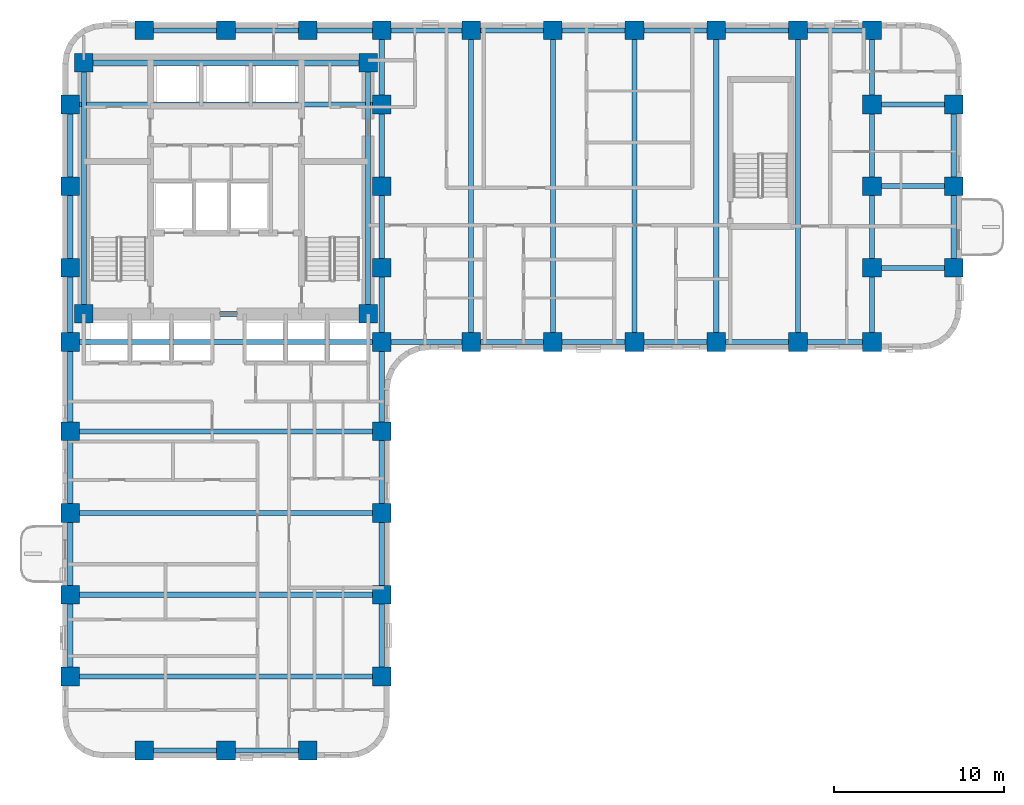
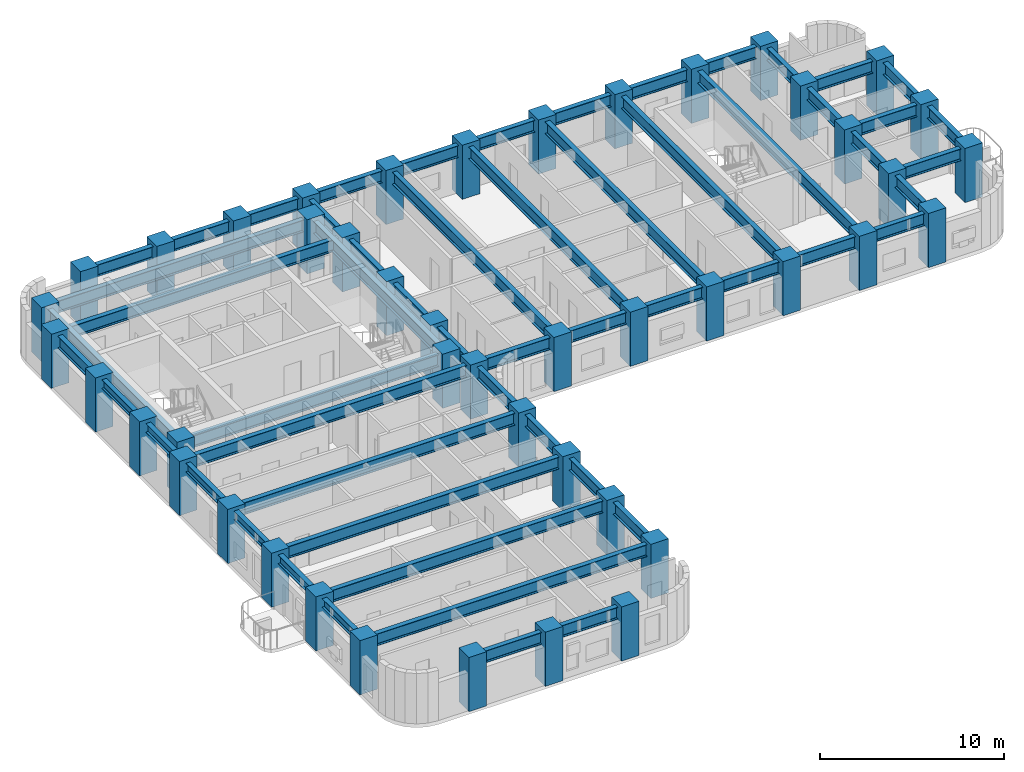
# One storey, part 1 of 11: 56 beams, 45 columns.
"""IFC4 building model written with IfcOpenShell, lengths in metres."""

from ifc_helpers import new_model, si_unit, direction, frame, origin, origin_2d, place, context, subcontext, project, spatial, rectangle, i_section, extrude, material, material_profile, profile_set, type_object, element, save


model = new_model("IFC4")

# Units and contexts
model_context = context("Model", 3, precision=1e-05, world=origin(), true_north=direction((0.0, 1.0)))
body_context = subcontext(model_context, "Body", "Model", "MODEL_VIEW")
ifc_project = project(units=[si_unit("LENGTHUNIT", "METRE"), si_unit("AREAUNIT", "SQUARE_METRE"), si_unit("VOLUMEUNIT", "CUBIC_METRE"), si_unit("PLANEANGLEUNIT", "RADIAN"), si_unit("MASSUNIT", "GRAM", prefix="KILO")], contexts=[model_context])

# Site, building, storey
site_placement = place(None, origin())
site = spatial("IfcSite", under=ifc_project, at=site_placement, CompositionType="ELEMENT")
building_placement = place(site_placement, origin())
building = spatial("IfcBuilding", under=site, at=building_placement, Name="Orvandelia Arch Residences", CompositionType="ELEMENT")
storey_placement = place(building_placement, frame((0.0, 0.0, 53.800048828125)))
storey = spatial("IfcBuildingStorey", under=building, at=storey_placement, Name="L13", CompositionType="ELEMENT", Elevation=53.800048828125)

# Columns
ifc_material_1 = material(Name="Concrete C80/95", Category="concrete")
ifc_material_profile_1 = material_profile(ifc_material_1, rectangle(XDim=1.10009765625, YDim=1.10009765625, at=origin_2d()), Name="Concrete C80/95", Category="concrete")
ifc_profile_set_1 = profile_set([ifc_material_profile_1], Name="Concrete C80/95")
column_type = type_object("IfcColumnType", Name="COL-TWR-1100", PredefinedType="COLUMN", material=ifc_profile_set_1)
for number, where, z_axis, x_axis, name in (
    (1, (5.25, 9.60009765625, 0.0), (0.0, 0.0, 1.0), (1.0, 0.0, 0.0), "Structural Column L13-W-W-96"),
    (2, (5.25, 14.39990234375, 0.0), (0.0, 0.0, 1.0), (1.0, 0.0, 0.0), "Structural Column L13-W-W-144"),
    (3, (5.25, 19.199951171875, 0.0), (0.0, 0.0, 1.0), (1.0, 0.0, 0.0), "Structural Column L13-W-W-192"),
    (4, (5.25, 24.0, 0.0), (0.0, 0.0, 1.0), (1.0, 0.0, 0.0), "Structural Column L13-W-W-240"),
    (5, (5.25, 29.25, 0.0), (0.0, 0.0, 1.0), (1.0, 0.0, 0.0), "Structural Column L13-W-W-292"),
    (6, (5.25, 33.60009765625, 0.0), (0.0, 0.0, 1.0), (1.0, 0.0, 0.0), "Structural Column L13-W-W-336"),
    (7, (5.25, 38.39990234375, 0.0), (0.0, 0.0, 1.0), (1.0, 0.0, 0.0), "Structural Column L13-W-W-384"),
    (8, (5.25, 43.199951171875, 0.0), (0.0, 0.0, 1.0), (1.0, 0.0, 0.0), "Structural Column L13-W-W-432"),
    (9, (6.050048828125, 30.89990234375, 0.0), (0.0, 0.0, 1.0), (1.0, 0.0, 0.0), "Structural Column L13-CR-SW"),
    (10, (6.050048828125, 45.64990234375, 0.0), (0.0, 0.0, 1.0), (1.0, 0.0, 0.0), "Structural Column L13-CR-NW"),
    (11, (9.60009765625, 5.25, 0.0), (0.0, 0.0, 1.0), (1.0, 0.0, 0.0), "Structural Column L13-W-S-96"),
    (12, (9.60009765625, 47.550048828125, 0.0), (0.0, 0.0, 1.0), (1.0, 0.0, 0.0), "Structural Column L13-W-N-96"),
    (13, (14.39990234375, 5.25, 0.0), (0.0, 0.0, 1.0), (1.0, 0.0, 0.0), "Structural Column L13-W-S-144"),
    (14, (14.39990234375, 47.550048828125, 0.0), (0.0, 0.0, 1.0), (1.0, 0.0, 0.0), "Structural Column L13-W-N-144"),
    (15, (19.199951171875, 5.25, 0.0), (0.0, 0.0, 1.0), (1.0, 0.0, 0.0), "Structural Column L13-W-S-192"),
    (16, (19.199951171875, 47.550048828125, 0.0), (0.0, 0.0, 1.0), (1.0, 0.0, 0.0), "Structural Column L13-W-N-192"),
    (17, (22.75, 30.89990234375, 0.0), (0.0, 0.0, 1.0), (1.0, 0.0, 0.0), "Structural Column L13-CR-SE"),
    (18, (22.75, 45.64990234375, 0.0), (0.0, 0.0, 1.0), (1.0, 0.0, 0.0), "Structural Column L13-CR-NE"),
    (19, (23.550048828125, 9.60009765625, 0.0), (0.0, 0.0, 1.0), (1.0, 0.0, 0.0), "Structural Column L13-W-E-96"),
    (20, (23.550048828125, 14.39990234375, 0.0), (0.0, 0.0, 1.0), (1.0, 0.0, 0.0), "Structural Column L13-W-E-144"),
    (21, (23.550048828125, 19.199951171875, 0.0), (0.0, 0.0, 1.0), (1.0, 0.0, 0.0), "Structural Column L13-W-E-192"),
    (22, (23.550048828125, 24.0, 0.0), (0.0, 0.0, 1.0), (1.0, 0.0, 0.0), "Structural Column L13-W-E-240"),
    (23, (23.550048828125, 29.25, 0.0), (0.0, 0.0, 1.0), (1.0, 0.0, 0.0), "Structural Column L13-W-E-292"),
    (24, (23.550048828125, 33.60009765625, 0.0), (0.0, 0.0, 1.0), (1.0, 0.0, 0.0), "Structural Column L13-W-E-336"),
    (25, (23.550048828125, 38.39990234375, 0.0), (0.0, 0.0, 1.0), (1.0, 0.0, 0.0), "Structural Column L13-W-E-384"),
    (26, (23.550048828125, 43.199951171875, 0.0), (0.0, 0.0, 1.0), (1.0, 0.0, 0.0), "Structural Column L13-W-E-432"),
    (27, (23.550048828125, 47.550048828125, 0.0), (0.0, 0.0, 1.0), (1.0, 0.0, 0.0), "Structural Column L13-W-N-235"),
    (28, (28.800048828125, 29.25, 0.0), (0.0, 0.0, 1.0), (1.0, 0.0, 0.0), "Structural Column L13-E-S-288"),
    (29, (28.800048828125, 47.550048828125, 0.0), (0.0, 0.0, 1.0), (1.0, 0.0, 0.0), "Structural Column L13-E-N-288"),
    (30, (33.60009765625, 29.25, 0.0), (0.0, 0.0, 1.0), (1.0, 0.0, 0.0), "Structural Column L13-E-S-336"),
    (31, (33.60009765625, 47.550048828125, 0.0), (0.0, 0.0, 1.0), (1.0, 0.0, 0.0), "Structural Column L13-E-N-336"),
    (32, (38.39990234375, 29.25, 0.0), (0.0, 0.0, 1.0), (1.0, 0.0, 0.0), "Structural Column L13-E-S-384"),
    (33, (38.39990234375, 47.550048828125, 0.0), (0.0, 0.0, 1.0), (1.0, 0.0, 0.0), "Structural Column L13-E-N-384"),
    (34, (43.199951171875, 29.25, 0.0), (0.0, 0.0, 1.0), (1.0, 0.0, 0.0), "Structural Column L13-E-S-432"),
    (35, (43.199951171875, 47.550048828125, 0.0), (0.0, 0.0, 1.0), (1.0, 0.0, 0.0), "Structural Column L13-E-N-432"),
    (36, (48.0, 29.25, 0.0), (0.0, 0.0, 1.0), (1.0, 0.0, 0.0), "Structural Column L13-E-S-480"),
    (37, (48.0, 47.550048828125, 0.0), (0.0, 0.0, 1.0), (1.0, 0.0, 0.0), "Structural Column L13-E-N-480"),
    (38, (52.35009765625, 29.25, 0.0), (0.0, 0.0, 1.0), (1.0, 0.0, 0.0), "Structural Column L13-E-S-523"),
    (39, (52.35009765625, 33.60009765625, 0.0), (0.0, 0.0, 1.0), (1.0, 0.0, 0.0), "Structural Column L13-E-523-336"),
    (40, (52.35009765625, 38.39990234375, 0.0), (0.0, 0.0, 1.0), (1.0, 0.0, 0.0), "Structural Column L13-E-523-384"),
    (41, (52.35009765625, 43.199951171875, 0.0), (0.0, 0.0, 1.0), (1.0, 0.0, 0.0), "Structural Column L13-E-523-432"),
    (42, (52.35009765625, 47.550048828125, 0.0), (0.0, 0.0, 1.0), (1.0, 0.0, 0.0), "Structural Column L13-E-N-523"),
    (43, (57.14990234375, 33.60009765625, 0.0), (0.0, 0.0, 1.0), (1.0, 0.0, 0.0), "Structural Column L13-E-571-336"),
    (44, (57.14990234375, 38.39990234375, 0.0), (0.0, 0.0, 1.0), (1.0, 0.0, 0.0), "Structural Column L13-E-571-384"),
    (45, (57.14990234375, 43.199951171875, 0.0), (0.0, 0.0, 1.0), (1.0, 0.0, 0.0), "Structural Column L13-E-571-432"),
):
    element("IfcColumn", number, at=place(storey_placement, frame(where, z_axis=z_axis, x_axis=x_axis)), inside=storey, type_object=column_type, Name=name, PredefinedType="COLUMN", context=body_context, shape_type="SweptSolid", body=[
        extrude(rectangle(XDim=1.10009765625, YDim=1.10009765625, at=origin_2d()), origin(), (0.0, 0.0, 1.0), 3.599853515625),
    ])

# Beams
ifc_material_2 = material(Name="Structural Steel SM355 (355 MPa)", Category="steel")
ifc_material_profile_2 = material_profile(ifc_material_2, i_section(OverallWidth=0.300048828125, OverallDepth=0.800048828125, WebThickness=0.013916015625, FlangeThickness=0.02587890625, FilletRadius=0.02587890625, at=origin_2d()), Name="Structural Steel SM355 (355 MPa)", Category="steel")
ifc_profile_set_2 = profile_set([ifc_material_profile_2], Name="Structural Steel SM355 (355 MPa)")
beam_type_1 = type_object("IfcBeamType", Name="BM-GRD-H800", PredefinedType="BEAM", material=ifc_profile_set_2)
beam_1_placement = place(storey_placement, frame((5.25, 38.39990234375, 2.949951171875), z_axis=(0.0, 1.0, 0.0), x_axis=(-1.0, 0.0, 0.0)))
element("IfcBeam", 46, at=beam_1_placement, inside=storey, type_object=beam_type_1, Name="Structural Frame Beam L13-NS-007", PredefinedType="BEAM", context=body_context, shape_type="SweptSolid", body=[
    extrude(i_section(OverallWidth=0.300048828125, OverallDepth=0.800048828125, WebThickness=0.013916015625, FlangeThickness=0.02587890625, FilletRadius=0.02587890625, at=origin_2d()), origin(), (0.0, 0.0, 1.0), 4.800048828125),
])
for number, where, z_axis, x_axis, name in (
    (47, (6.050048828125, 30.89990234375, 2.949951171875), (0.0, 1.0, 0.0), (-1.0, 0.0, 0.0), "Structural Frame Beam L13-NS-008"),
    (48, (22.75, 30.89990234375, 2.949951171875), (0.0, 1.0, 0.0), (-1.0, 0.0, 0.0), "Structural Frame Beam L13-NS-009"),
):
    element("IfcBeam", number, at=place(storey_placement, frame(where, z_axis=z_axis, x_axis=x_axis)), inside=storey, type_object=beam_type_1, Name=name, PredefinedType="BEAM", context=body_context, shape_type="SweptSolid", body=[
        extrude(i_section(OverallWidth=0.300048828125, OverallDepth=0.800048828125, WebThickness=0.013916015625, FlangeThickness=0.02587890625, FilletRadius=0.02587890625, at=origin_2d()), origin(), (0.0, 0.0, 1.0), 14.75),
    ])
beam_2_placement = place(storey_placement, frame((23.550048828125, 9.60009765625, 2.949951171875), z_axis=(0.0, 1.0, 0.0), x_axis=(-1.0, 0.0, 0.0)))
element("IfcBeam", 49, at=beam_2_placement, inside=storey, type_object=beam_type_1, Name="Structural Frame Beam L13-NS-010", PredefinedType="BEAM", context=body_context, shape_type="SweptSolid", body=[
    extrude(i_section(OverallWidth=0.300048828125, OverallDepth=0.800048828125, WebThickness=0.013916015625, FlangeThickness=0.02587890625, FilletRadius=0.02587890625, at=origin_2d()), origin(), (0.0, 0.0, 1.0), 4.7998046875),
])
for number, where, z_axis, x_axis, name in (
    (50, (23.550048828125, 14.39990234375, 2.949951171875), (0.0, 1.0, 0.0), (-1.0, 0.0, 0.0), "Structural Frame Beam L13-NS-011"),
    (51, (23.550048828125, 19.199951171875, 2.949951171875), (0.0, 1.0, 0.0), (-1.0, 0.0, 0.0), "Structural Frame Beam L13-NS-012"),
):
    element("IfcBeam", number, at=place(storey_placement, frame(where, z_axis=z_axis, x_axis=x_axis)), inside=storey, type_object=beam_type_1, Name=name, PredefinedType="BEAM", context=body_context, shape_type="SweptSolid", body=[
        extrude(i_section(OverallWidth=0.300048828125, OverallDepth=0.800048828125, WebThickness=0.013916015625, FlangeThickness=0.02587890625, FilletRadius=0.02587890625, at=origin_2d()), origin(), (0.0, 0.0, 1.0), 4.800048828125),
    ])
beam_3_placement = place(storey_placement, frame((23.550048828125, 24.0, 2.949951171875), z_axis=(0.0, 1.0, 0.0), x_axis=(-1.0, 0.0, 0.0)))
element("IfcBeam", 52, at=beam_3_placement, inside=storey, type_object=beam_type_1, Name="Structural Frame Beam L13-NS-013", PredefinedType="BEAM", context=body_context, shape_type="SweptSolid", body=[
    extrude(i_section(OverallWidth=0.300048828125, OverallDepth=0.800048828125, WebThickness=0.013916015625, FlangeThickness=0.02587890625, FilletRadius=0.02587890625, at=origin_2d()), origin(), (0.0, 0.0, 1.0), 5.25),
])
beam_4_placement = place(storey_placement, frame((23.550048828125, 29.25, 2.949951171875), z_axis=(0.0, 1.0, 0.0), x_axis=(-1.0, 0.0, 0.0)))
element("IfcBeam", 53, at=beam_4_placement, inside=storey, type_object=beam_type_1, Name="Structural Frame Beam L13-NS-014", PredefinedType="BEAM", context=body_context, shape_type="SweptSolid", body=[
    extrude(i_section(OverallWidth=0.300048828125, OverallDepth=0.800048828125, WebThickness=0.013916015625, FlangeThickness=0.02587890625, FilletRadius=0.02587890625, at=origin_2d()), origin(), (0.0, 0.0, 1.0), 4.35009765625),
])
beam_5_placement = place(storey_placement, frame((23.550048828125, 33.60009765625, 2.949951171875), z_axis=(0.0, 1.0, 0.0), x_axis=(-1.0, 0.0, 0.0)))
element("IfcBeam", 54, at=beam_5_placement, inside=storey, type_object=beam_type_1, Name="Structural Frame Beam L13-NS-015", PredefinedType="BEAM", context=body_context, shape_type="SweptSolid", body=[
    extrude(i_section(OverallWidth=0.300048828125, OverallDepth=0.800048828125, WebThickness=0.013916015625, FlangeThickness=0.02587890625, FilletRadius=0.02587890625, at=origin_2d()), origin(), (0.0, 0.0, 1.0), 4.7998046875),
])
beam_6_placement = place(storey_placement, frame((23.550048828125, 38.39990234375, 2.949951171875), z_axis=(0.0, 1.0, 0.0), x_axis=(-1.0, 0.0, 0.0)))
element("IfcBeam", 55, at=beam_6_placement, inside=storey, type_object=beam_type_1, Name="Structural Frame Beam L13-NS-016", PredefinedType="BEAM", context=body_context, shape_type="SweptSolid", body=[
    extrude(i_section(OverallWidth=0.300048828125, OverallDepth=0.800048828125, WebThickness=0.013916015625, FlangeThickness=0.02587890625, FilletRadius=0.02587890625, at=origin_2d()), origin(), (0.0, 0.0, 1.0), 4.800048828125),
])
beam_7_placement = place(storey_placement, frame((23.550048828125, 43.199951171875, 2.949951171875), z_axis=(0.0, 1.0, 0.0), x_axis=(-1.0, 0.0, 0.0)))
element("IfcBeam", 56, at=beam_7_placement, inside=storey, type_object=beam_type_1, Name="Structural Frame Beam L13-NS-017", PredefinedType="BEAM", context=body_context, shape_type="SweptSolid", body=[
    extrude(i_section(OverallWidth=0.300048828125, OverallDepth=0.800048828125, WebThickness=0.013916015625, FlangeThickness=0.02587890625, FilletRadius=0.02587890625, at=origin_2d()), origin(), (0.0, 0.0, 1.0), 4.35009765625),
])
for number, where, z_axis, x_axis, name in (
    (57, (28.800048828125, 29.25, 2.949951171875), (0.0, 1.0, 0.0), (-1.0, 0.0, 0.0), "Structural Frame Beam L13-NS-018"),
    (58, (33.60009765625, 29.25, 2.949951171875), (0.0, 1.0, 0.0), (-1.0, 0.0, 0.0), "Structural Frame Beam L13-NS-019"),
    (59, (38.39990234375, 29.25, 2.949951171875), (0.0, 1.0, 0.0), (-1.0, 0.0, 0.0), "Structural Frame Beam L13-NS-020"),
    (60, (43.199951171875, 29.25, 2.949951171875), (0.0, 1.0, 0.0), (-1.0, 0.0, 0.0), "Structural Frame Beam L13-NS-021"),
    (61, (48.0, 29.25, 2.949951171875), (0.0, 1.0, 0.0), (-1.0, 0.0, 0.0), "Structural Frame Beam L13-NS-022"),
):
    element("IfcBeam", number, at=place(storey_placement, frame(where, z_axis=z_axis, x_axis=x_axis)), inside=storey, type_object=beam_type_1, Name=name, PredefinedType="BEAM", context=body_context, shape_type="SweptSolid", body=[
        extrude(i_section(OverallWidth=0.300048828125, OverallDepth=0.800048828125, WebThickness=0.013916015625, FlangeThickness=0.02587890625, FilletRadius=0.02587890625, at=origin_2d()), origin(), (0.0, 0.0, 1.0), 18.300048828125),
    ])
beam_8_placement = place(storey_placement, frame((52.35009765625, 29.25, 2.949951171875), z_axis=(0.0, 1.0, 0.0), x_axis=(-1.0, 0.0, 0.0)))
element("IfcBeam", 62, at=beam_8_placement, inside=storey, type_object=beam_type_1, Name="Structural Frame Beam L13-NS-023", PredefinedType="BEAM", context=body_context, shape_type="SweptSolid", body=[
    extrude(i_section(OverallWidth=0.300048828125, OverallDepth=0.800048828125, WebThickness=0.013916015625, FlangeThickness=0.02587890625, FilletRadius=0.02587890625, at=origin_2d()), origin(), (0.0, 0.0, 1.0), 4.35009765625),
])
beam_9_placement = place(storey_placement, frame((52.35009765625, 33.60009765625, 2.949951171875), z_axis=(0.0, 1.0, 0.0), x_axis=(-1.0, 0.0, 0.0)))
element("IfcBeam", 63, at=beam_9_placement, inside=storey, type_object=beam_type_1, Name="Structural Frame Beam L13-NS-024", PredefinedType="BEAM", context=body_context, shape_type="SweptSolid", body=[
    extrude(i_section(OverallWidth=0.300048828125, OverallDepth=0.800048828125, WebThickness=0.013916015625, FlangeThickness=0.02587890625, FilletRadius=0.02587890625, at=origin_2d()), origin(), (0.0, 0.0, 1.0), 4.7998046875),
])
beam_10_placement = place(storey_placement, frame((52.35009765625, 38.39990234375, 2.949951171875), z_axis=(0.0, 1.0, 0.0), x_axis=(-1.0, 0.0, 0.0)))
element("IfcBeam", 64, at=beam_10_placement, inside=storey, type_object=beam_type_1, Name="Structural Frame Beam L13-NS-025", PredefinedType="BEAM", context=body_context, shape_type="SweptSolid", body=[
    extrude(i_section(OverallWidth=0.300048828125, OverallDepth=0.800048828125, WebThickness=0.013916015625, FlangeThickness=0.02587890625, FilletRadius=0.02587890625, at=origin_2d()), origin(), (0.0, 0.0, 1.0), 4.800048828125),
])
beam_11_placement = place(storey_placement, frame((52.35009765625, 43.199951171875, 2.949951171875), z_axis=(0.0, 1.0, 0.0), x_axis=(-1.0, 0.0, 0.0)))
element("IfcBeam", 65, at=beam_11_placement, inside=storey, type_object=beam_type_1, Name="Structural Frame Beam L13-NS-026", PredefinedType="BEAM", context=body_context, shape_type="SweptSolid", body=[
    extrude(i_section(OverallWidth=0.300048828125, OverallDepth=0.800048828125, WebThickness=0.013916015625, FlangeThickness=0.02587890625, FilletRadius=0.02587890625, at=origin_2d()), origin(), (0.0, 0.0, 1.0), 4.35009765625),
])
beam_12_placement = place(storey_placement, frame((57.14990234375, 33.60009765625, 2.949951171875), z_axis=(0.0, 1.0, 0.0), x_axis=(-1.0, 0.0, 0.0)))
element("IfcBeam", 66, at=beam_12_placement, inside=storey, type_object=beam_type_1, Name="Structural Frame Beam L13-NS-027", PredefinedType="BEAM", context=body_context, shape_type="SweptSolid", body=[
    extrude(i_section(OverallWidth=0.300048828125, OverallDepth=0.800048828125, WebThickness=0.013916015625, FlangeThickness=0.02587890625, FilletRadius=0.02587890625, at=origin_2d()), origin(), (0.0, 0.0, 1.0), 4.7998046875),
])
beam_13_placement = place(storey_placement, frame((57.14990234375, 38.39990234375, 2.949951171875), z_axis=(0.0, 1.0, 0.0), x_axis=(-1.0, 0.0, 0.0)))
element("IfcBeam", 67, at=beam_13_placement, inside=storey, type_object=beam_type_1, Name="Structural Frame Beam L13-NS-028", PredefinedType="BEAM", context=body_context, shape_type="SweptSolid", body=[
    extrude(i_section(OverallWidth=0.300048828125, OverallDepth=0.800048828125, WebThickness=0.013916015625, FlangeThickness=0.02587890625, FilletRadius=0.02587890625, at=origin_2d()), origin(), (0.0, 0.0, 1.0), 4.800048828125),
])
beam_14_placement = place(storey_placement, frame((9.60009765625, 5.25, 2.949951171875), z_axis=(1.0, 0.0, 0.0), x_axis=(0.0, 1.0, 0.0)))
element("IfcBeam", 68, at=beam_14_placement, inside=storey, type_object=beam_type_1, Name="Structural Frame Girder L13-EW-029", PredefinedType="BEAM", context=body_context, shape_type="SweptSolid", body=[
    extrude(i_section(OverallWidth=0.300048828125, OverallDepth=0.800048828125, WebThickness=0.013916015625, FlangeThickness=0.02587890625, FilletRadius=0.02587890625, at=origin_2d()), origin(), (0.0, 0.0, 1.0), 4.7998046875),
])
beam_15_placement = place(storey_placement, frame((14.39990234375, 5.25, 2.949951171875), z_axis=(1.0, 0.0, 0.0), x_axis=(0.0, 1.0, 0.0)))
element("IfcBeam", 69, at=beam_15_placement, inside=storey, type_object=beam_type_1, Name="Structural Frame Girder L13-EW-030", PredefinedType="BEAM", context=body_context, shape_type="SweptSolid", body=[
    extrude(i_section(OverallWidth=0.300048828125, OverallDepth=0.800048828125, WebThickness=0.013916015625, FlangeThickness=0.02587890625, FilletRadius=0.02587890625, at=origin_2d()), origin(), (0.0, 0.0, 1.0), 4.800048828125),
])
for number, where, z_axis, x_axis, name in (
    (70, (5.25, 9.60009765625, 2.949951171875), (1.0, 0.0, 0.0), (0.0, 1.0, 0.0), "Structural Frame Girder L13-EW-031"),
    (71, (5.25, 14.39990234375, 2.949951171875), (1.0, 0.0, 0.0), (0.0, 1.0, 0.0), "Structural Frame Girder L13-EW-032"),
    (72, (5.25, 19.199951171875, 2.949951171875), (1.0, 0.0, 0.0), (0.0, 1.0, 0.0), "Structural Frame Girder L13-EW-033"),
    (73, (5.25, 24.0, 2.949951171875), (1.0, 0.0, 0.0), (0.0, 1.0, 0.0), "Structural Frame Girder L13-EW-034"),
    (74, (5.25, 29.25, 2.949951171875), (1.0, 0.0, 0.0), (0.0, 1.0, 0.0), "Structural Frame Girder L13-EW-035"),
):
    element("IfcBeam", number, at=place(storey_placement, frame(where, z_axis=z_axis, x_axis=x_axis)), inside=storey, type_object=beam_type_1, Name=name, PredefinedType="BEAM", context=body_context, shape_type="SweptSolid", body=[
        extrude(i_section(OverallWidth=0.300048828125, OverallDepth=0.800048828125, WebThickness=0.013916015625, FlangeThickness=0.02587890625, FilletRadius=0.02587890625, at=origin_2d()), origin(), (0.0, 0.0, 1.0), 18.300048828125),
    ])
beam_16_placement = place(storey_placement, frame((23.550048828125, 29.25, 2.949951171875), z_axis=(1.0, 0.0, 0.0), x_axis=(0.0, 1.0, 0.0)))
element("IfcBeam", 75, at=beam_16_placement, inside=storey, type_object=beam_type_1, Name="Structural Frame Girder L13-EW-036", PredefinedType="BEAM", context=body_context, shape_type="SweptSolid", body=[
    extrude(i_section(OverallWidth=0.300048828125, OverallDepth=0.800048828125, WebThickness=0.013916015625, FlangeThickness=0.02587890625, FilletRadius=0.02587890625, at=origin_2d()), origin(), (0.0, 0.0, 1.0), 5.25),
])
beam_17_placement = place(storey_placement, frame((28.800048828125, 29.25, 2.949951171875), z_axis=(1.0, 0.0, 0.0), x_axis=(0.0, 1.0, 0.0)))
element("IfcBeam", 76, at=beam_17_placement, inside=storey, type_object=beam_type_1, Name="Structural Frame Girder L13-EW-037", PredefinedType="BEAM", context=body_context, shape_type="SweptSolid", body=[
    extrude(i_section(OverallWidth=0.300048828125, OverallDepth=0.800048828125, WebThickness=0.013916015625, FlangeThickness=0.02587890625, FilletRadius=0.02587890625, at=origin_2d()), origin(), (0.0, 0.0, 1.0), 4.800048828125),
])
beam_18_placement = place(storey_placement, frame((33.60009765625, 29.25, 2.949951171875), z_axis=(1.0, 0.0, 0.0), x_axis=(0.0, 1.0, 0.0)))
element("IfcBeam", 77, at=beam_18_placement, inside=storey, type_object=beam_type_1, Name="Structural Frame Girder L13-EW-038", PredefinedType="BEAM", context=body_context, shape_type="SweptSolid", body=[
    extrude(i_section(OverallWidth=0.300048828125, OverallDepth=0.800048828125, WebThickness=0.013916015625, FlangeThickness=0.02587890625, FilletRadius=0.02587890625, at=origin_2d()), origin(), (0.0, 0.0, 1.0), 4.7998046875),
])
for number, where, z_axis, x_axis, name in (
    (78, (38.39990234375, 29.25, 2.949951171875), (1.0, 0.0, 0.0), (0.0, 1.0, 0.0), "Structural Frame Girder L13-EW-039"),
    (79, (43.199951171875, 29.25, 2.949951171875), (1.0, 0.0, 0.0), (0.0, 1.0, 0.0), "Structural Frame Girder L13-EW-040"),
):
    element("IfcBeam", number, at=place(storey_placement, frame(where, z_axis=z_axis, x_axis=x_axis)), inside=storey, type_object=beam_type_1, Name=name, PredefinedType="BEAM", context=body_context, shape_type="SweptSolid", body=[
        extrude(i_section(OverallWidth=0.300048828125, OverallDepth=0.800048828125, WebThickness=0.013916015625, FlangeThickness=0.02587890625, FilletRadius=0.02587890625, at=origin_2d()), origin(), (0.0, 0.0, 1.0), 4.800048828125),
    ])
beam_19_placement = place(storey_placement, frame((48.0, 29.25, 2.949951171875), z_axis=(1.0, 0.0, 0.0), x_axis=(0.0, 1.0, 0.0)))
element("IfcBeam", 80, at=beam_19_placement, inside=storey, type_object=beam_type_1, Name="Structural Frame Girder L13-EW-041", PredefinedType="BEAM", context=body_context, shape_type="SweptSolid", body=[
    extrude(i_section(OverallWidth=0.300048828125, OverallDepth=0.800048828125, WebThickness=0.013916015625, FlangeThickness=0.02587890625, FilletRadius=0.02587890625, at=origin_2d()), origin(), (0.0, 0.0, 1.0), 4.35009765625),
])
beam_20_placement = place(storey_placement, frame((6.050048828125, 30.89990234375, 2.949951171875), z_axis=(1.0, 0.0, 0.0), x_axis=(0.0, 1.0, 0.0)))
element("IfcBeam", 81, at=beam_20_placement, inside=storey, type_object=beam_type_1, Name="Structural Frame Girder L13-EW-042", PredefinedType="BEAM", context=body_context, shape_type="SweptSolid", body=[
    extrude(i_section(OverallWidth=0.300048828125, OverallDepth=0.800048828125, WebThickness=0.013916015625, FlangeThickness=0.02587890625, FilletRadius=0.02587890625, at=origin_2d()), origin(), (0.0, 0.0, 1.0), 16.699951171875),
])
for number, where, z_axis, x_axis, name in (
    (82, (52.35009765625, 33.60009765625, 2.949951171875), (1.0, 0.0, 0.0), (0.0, 1.0, 0.0), "Structural Frame Girder L13-EW-044"),
    (83, (52.35009765625, 38.39990234375, 2.949951171875), (1.0, 0.0, 0.0), (0.0, 1.0, 0.0), "Structural Frame Girder L13-EW-046"),
):
    element("IfcBeam", number, at=place(storey_placement, frame(where, z_axis=z_axis, x_axis=x_axis)), inside=storey, type_object=beam_type_1, Name=name, PredefinedType="BEAM", context=body_context, shape_type="SweptSolid", body=[
        extrude(i_section(OverallWidth=0.300048828125, OverallDepth=0.800048828125, WebThickness=0.013916015625, FlangeThickness=0.02587890625, FilletRadius=0.02587890625, at=origin_2d()), origin(), (0.0, 0.0, 1.0), 4.7998046875),
    ])
beam_21_placement = place(storey_placement, frame((5.25, 43.199951171875, 2.949951171875), z_axis=(1.0, 0.0, 0.0), x_axis=(0.0, 1.0, 0.0)))
element("IfcBeam", 84, at=beam_21_placement, inside=storey, type_object=beam_type_1, Name="Structural Frame Girder L13-EW-047", PredefinedType="BEAM", context=body_context, shape_type="SweptSolid", body=[
    extrude(i_section(OverallWidth=0.300048828125, OverallDepth=0.800048828125, WebThickness=0.013916015625, FlangeThickness=0.02587890625, FilletRadius=0.02587890625, at=origin_2d()), origin(), (0.0, 0.0, 1.0), 18.300048828125),
])
beam_22_placement = place(storey_placement, frame((52.35009765625, 43.199951171875, 2.949951171875), z_axis=(1.0, 0.0, 0.0), x_axis=(0.0, 1.0, 0.0)))
element("IfcBeam", 85, at=beam_22_placement, inside=storey, type_object=beam_type_1, Name="Structural Frame Girder L13-EW-048", PredefinedType="BEAM", context=body_context, shape_type="SweptSolid", body=[
    extrude(i_section(OverallWidth=0.300048828125, OverallDepth=0.800048828125, WebThickness=0.013916015625, FlangeThickness=0.02587890625, FilletRadius=0.02587890625, at=origin_2d()), origin(), (0.0, 0.0, 1.0), 4.7998046875),
])
beam_23_placement = place(storey_placement, frame((6.050048828125, 45.64990234375, 2.949951171875), z_axis=(1.0, 0.0, 0.0), x_axis=(0.0, 1.0, 0.0)))
element("IfcBeam", 86, at=beam_23_placement, inside=storey, type_object=beam_type_1, Name="Structural Frame Girder L13-EW-049", PredefinedType="BEAM", context=body_context, shape_type="SweptSolid", body=[
    extrude(i_section(OverallWidth=0.300048828125, OverallDepth=0.800048828125, WebThickness=0.013916015625, FlangeThickness=0.02587890625, FilletRadius=0.02587890625, at=origin_2d()), origin(), (0.0, 0.0, 1.0), 16.699951171875),
])
beam_24_placement = place(storey_placement, frame((9.60009765625, 47.550048828125, 2.949951171875), z_axis=(1.0, 0.0, 0.0), x_axis=(0.0, 1.0, 0.0)))
element("IfcBeam", 87, at=beam_24_placement, inside=storey, type_object=beam_type_1, Name="Structural Frame Girder L13-EW-050", PredefinedType="BEAM", context=body_context, shape_type="SweptSolid", body=[
    extrude(i_section(OverallWidth=0.300048828125, OverallDepth=0.800048828125, WebThickness=0.013916015625, FlangeThickness=0.02587890625, FilletRadius=0.02587890625, at=origin_2d()), origin(), (0.0, 0.0, 1.0), 4.7998046875),
])
beam_25_placement = place(storey_placement, frame((14.39990234375, 47.550048828125, 2.949951171875), z_axis=(1.0, 0.0, 0.0), x_axis=(0.0, 1.0, 0.0)))
element("IfcBeam", 88, at=beam_25_placement, inside=storey, type_object=beam_type_1, Name="Structural Frame Girder L13-EW-051", PredefinedType="BEAM", context=body_context, shape_type="SweptSolid", body=[
    extrude(i_section(OverallWidth=0.300048828125, OverallDepth=0.800048828125, WebThickness=0.013916015625, FlangeThickness=0.02587890625, FilletRadius=0.02587890625, at=origin_2d()), origin(), (0.0, 0.0, 1.0), 4.800048828125),
])
beam_26_placement = place(storey_placement, frame((19.199951171875, 47.550048828125, 2.949951171875), z_axis=(1.0, 0.0, 0.0), x_axis=(0.0, 1.0, 0.0)))
element("IfcBeam", 89, at=beam_26_placement, inside=storey, type_object=beam_type_1, Name="Structural Frame Girder L13-EW-052", PredefinedType="BEAM", context=body_context, shape_type="SweptSolid", body=[
    extrude(i_section(OverallWidth=0.300048828125, OverallDepth=0.800048828125, WebThickness=0.013916015625, FlangeThickness=0.02587890625, FilletRadius=0.02587890625, at=origin_2d()), origin(), (0.0, 0.0, 1.0), 4.35009765625),
])
beam_27_placement = place(storey_placement, frame((23.550048828125, 47.550048828125, 2.949951171875), z_axis=(1.0, 0.0, 0.0), x_axis=(0.0, 1.0, 0.0)))
element("IfcBeam", 90, at=beam_27_placement, inside=storey, type_object=beam_type_1, Name="Structural Frame Girder L13-EW-053", PredefinedType="BEAM", context=body_context, shape_type="SweptSolid", body=[
    extrude(i_section(OverallWidth=0.300048828125, OverallDepth=0.800048828125, WebThickness=0.013916015625, FlangeThickness=0.02587890625, FilletRadius=0.02587890625, at=origin_2d()), origin(), (0.0, 0.0, 1.0), 5.25),
])
beam_28_placement = place(storey_placement, frame((28.800048828125, 47.550048828125, 2.949951171875), z_axis=(1.0, 0.0, 0.0), x_axis=(0.0, 1.0, 0.0)))
element("IfcBeam", 91, at=beam_28_placement, inside=storey, type_object=beam_type_1, Name="Structural Frame Girder L13-EW-054", PredefinedType="BEAM", context=body_context, shape_type="SweptSolid", body=[
    extrude(i_section(OverallWidth=0.300048828125, OverallDepth=0.800048828125, WebThickness=0.013916015625, FlangeThickness=0.02587890625, FilletRadius=0.02587890625, at=origin_2d()), origin(), (0.0, 0.0, 1.0), 4.800048828125),
])
beam_29_placement = place(storey_placement, frame((33.60009765625, 47.550048828125, 2.949951171875), z_axis=(1.0, 0.0, 0.0), x_axis=(0.0, 1.0, 0.0)))
element("IfcBeam", 92, at=beam_29_placement, inside=storey, type_object=beam_type_1, Name="Structural Frame Girder L13-EW-055", PredefinedType="BEAM", context=body_context, shape_type="SweptSolid", body=[
    extrude(i_section(OverallWidth=0.300048828125, OverallDepth=0.800048828125, WebThickness=0.013916015625, FlangeThickness=0.02587890625, FilletRadius=0.02587890625, at=origin_2d()), origin(), (0.0, 0.0, 1.0), 4.7998046875),
])
for number, where, z_axis, x_axis, name in (
    (93, (38.39990234375, 47.550048828125, 2.949951171875), (1.0, 0.0, 0.0), (0.0, 1.0, 0.0), "Structural Frame Girder L13-EW-056"),
    (94, (43.199951171875, 47.550048828125, 2.949951171875), (1.0, 0.0, 0.0), (0.0, 1.0, 0.0), "Structural Frame Girder L13-EW-057"),
):
    element("IfcBeam", number, at=place(storey_placement, frame(where, z_axis=z_axis, x_axis=x_axis)), inside=storey, type_object=beam_type_1, Name=name, PredefinedType="BEAM", context=body_context, shape_type="SweptSolid", body=[
        extrude(i_section(OverallWidth=0.300048828125, OverallDepth=0.800048828125, WebThickness=0.013916015625, FlangeThickness=0.02587890625, FilletRadius=0.02587890625, at=origin_2d()), origin(), (0.0, 0.0, 1.0), 4.800048828125),
    ])
beam_30_placement = place(storey_placement, frame((48.0, 47.550048828125, 2.949951171875), z_axis=(1.0, 0.0, 0.0), x_axis=(0.0, 1.0, 0.0)))
element("IfcBeam", 95, at=beam_30_placement, inside=storey, type_object=beam_type_1, Name="Structural Frame Girder L13-EW-058", PredefinedType="BEAM", context=body_context, shape_type="SweptSolid", body=[
    extrude(i_section(OverallWidth=0.300048828125, OverallDepth=0.800048828125, WebThickness=0.013916015625, FlangeThickness=0.02587890625, FilletRadius=0.02587890625, at=origin_2d()), origin(), (0.0, 0.0, 1.0), 4.35009765625),
])
ifc_material_profile_3 = material_profile(ifc_material_2, i_section(OverallWidth=0.300048828125, OverallDepth=0.587890625, WebThickness=0.011962890625, FlangeThickness=0.02001953125, FilletRadius=0.02197265625, at=origin_2d()), Name="Structural Steel SM355 (355 MPa)", Category="steel")
ifc_profile_set_3 = profile_set([ifc_material_profile_3], Name="Structural Steel SM355 (355 MPa)")
beam_type_2 = type_object("IfcBeamType", Name="BM-SPN-H588", PredefinedType="SPANDREL", material=ifc_profile_set_3)
beam_31_placement = place(storey_placement, frame((5.25, 9.60009765625, 3.055908203125), z_axis=(0.0, 1.0, 0.0), x_axis=(-1.0, 0.0, 0.0)))
element("IfcBeam", 96, at=beam_31_placement, inside=storey, type_object=beam_type_2, Name="Structural Frame Beam L13-NS-001", PredefinedType="SPANDREL", context=body_context, shape_type="SweptSolid", body=[
    extrude(i_section(OverallWidth=0.300048828125, OverallDepth=0.587890625, WebThickness=0.011962890625, FlangeThickness=0.02001953125, FilletRadius=0.02197265625, at=origin_2d()), origin(), (0.0, 0.0, 1.0), 4.7998046875),
])
for number, where, z_axis, x_axis, name in (
    (97, (5.25, 14.39990234375, 3.055908203125), (0.0, 1.0, 0.0), (-1.0, 0.0, 0.0), "Structural Frame Beam L13-NS-002"),
    (98, (5.25, 19.199951171875, 3.055908203125), (0.0, 1.0, 0.0), (-1.0, 0.0, 0.0), "Structural Frame Beam L13-NS-003"),
):
    element("IfcBeam", number, at=place(storey_placement, frame(where, z_axis=z_axis, x_axis=x_axis)), inside=storey, type_object=beam_type_2, Name=name, PredefinedType="SPANDREL", context=body_context, shape_type="SweptSolid", body=[
        extrude(i_section(OverallWidth=0.300048828125, OverallDepth=0.587890625, WebThickness=0.011962890625, FlangeThickness=0.02001953125, FilletRadius=0.02197265625, at=origin_2d()), origin(), (0.0, 0.0, 1.0), 4.800048828125),
    ])
beam_32_placement = place(storey_placement, frame((5.25, 24.0, 3.055908203125), z_axis=(0.0, 1.0, 0.0), x_axis=(-1.0, 0.0, 0.0)))
element("IfcBeam", 99, at=beam_32_placement, inside=storey, type_object=beam_type_2, Name="Structural Frame Beam L13-NS-004", PredefinedType="SPANDREL", context=body_context, shape_type="SweptSolid", body=[
    extrude(i_section(OverallWidth=0.300048828125, OverallDepth=0.587890625, WebThickness=0.011962890625, FlangeThickness=0.02001953125, FilletRadius=0.02197265625, at=origin_2d()), origin(), (0.0, 0.0, 1.0), 5.25),
])
beam_33_placement = place(storey_placement, frame((5.25, 29.25, 3.055908203125), z_axis=(0.0, 1.0, 0.0), x_axis=(-1.0, 0.0, 0.0)))
element("IfcBeam", 100, at=beam_33_placement, inside=storey, type_object=beam_type_2, Name="Structural Frame Beam L13-NS-005", PredefinedType="SPANDREL", context=body_context, shape_type="SweptSolid", body=[
    extrude(i_section(OverallWidth=0.300048828125, OverallDepth=0.587890625, WebThickness=0.011962890625, FlangeThickness=0.02001953125, FilletRadius=0.02197265625, at=origin_2d()), origin(), (0.0, 0.0, 1.0), 4.35009765625),
])
beam_34_placement = place(storey_placement, frame((5.25, 33.60009765625, 3.055908203125), z_axis=(0.0, 1.0, 0.0), x_axis=(-1.0, 0.0, 0.0)))
element("IfcBeam", 101, at=beam_34_placement, inside=storey, type_object=beam_type_2, Name="Structural Frame Beam L13-NS-006", PredefinedType="SPANDREL", context=body_context, shape_type="SweptSolid", body=[
    extrude(i_section(OverallWidth=0.300048828125, OverallDepth=0.587890625, WebThickness=0.011962890625, FlangeThickness=0.02001953125, FilletRadius=0.02197265625, at=origin_2d()), origin(), (0.0, 0.0, 1.0), 4.7998046875),
])

save(model, "model.ifc")
